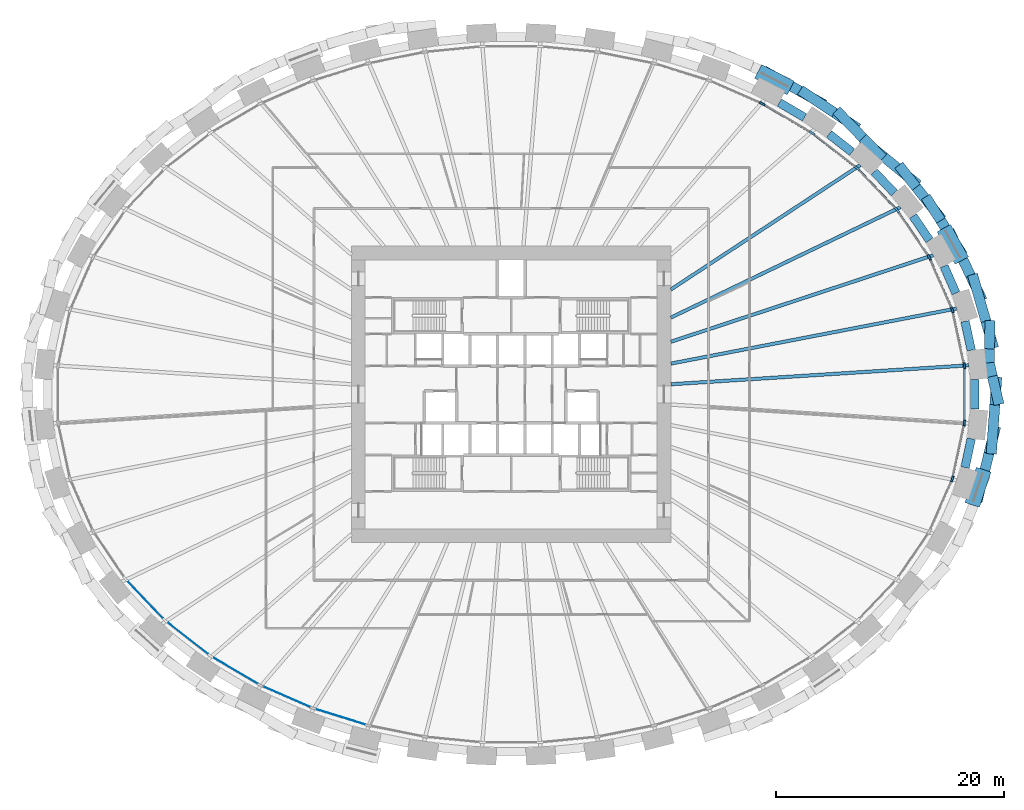
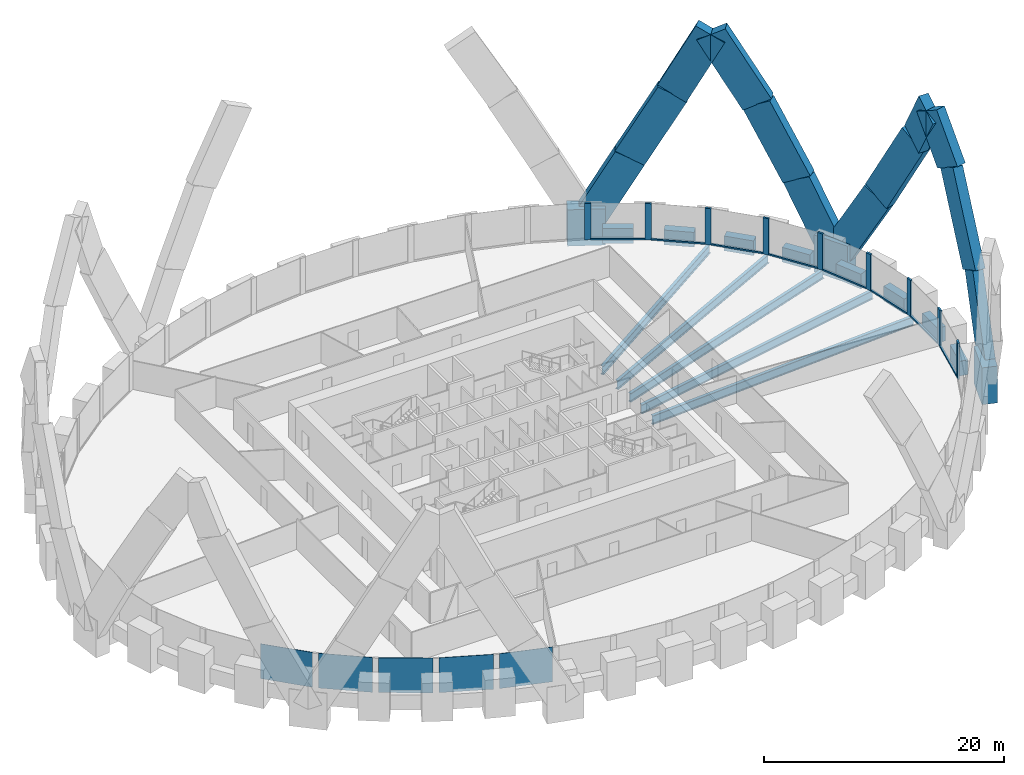
# One storey, part 5 of 12: 32 members, 13 beams, 5 plates, 1 element without a shape of its own.
"""IFC4 building model written with IfcOpenShell, lengths in metres."""

from ifc_helpers import new_model, si_unit, direction, frame, origin, origin_2d, place, context, subcontext, project, spatial, rectangle, i_section, extrude, source, transform, mapped, material, layer, layer_set, material_profile, profile_set, type_object, element, aggregate, save


model = new_model("IFC4")

# Units and contexts
model_context = context("Model", 3, precision=1e-05, world=origin(), true_north=direction((0.0, 1.0)))
body_context = subcontext(model_context, "Body", "Model", "MODEL_VIEW")
ifc_project = project(units=[si_unit("LENGTHUNIT", "METRE"), si_unit("AREAUNIT", "SQUARE_METRE"), si_unit("VOLUMEUNIT", "CUBIC_METRE"), si_unit("PLANEANGLEUNIT", "RADIAN"), si_unit("MASSUNIT", "GRAM", prefix="KILO")], contexts=[model_context])

# Site, building, storey
site_placement = place(None, origin())
site = spatial("IfcSite", under=ifc_project, at=site_placement, CompositionType="ELEMENT")
building_placement = place(site_placement, origin())
building = spatial("IfcBuilding", under=site, at=building_placement, Name="Embergate Tower", CompositionType="ELEMENT")
storey_placement = place(building_placement, frame((0.0, 0.0, 85.39990234375)))
storey = spatial("IfcBuildingStorey", under=building, at=storey_placement, Name="L17", CompositionType="ELEMENT", Elevation=85.39990234375)

# Beams
ifc_material_1 = material(Name="Concrete C70", Category="concrete")
ifc_material_profile_1 = material_profile(ifc_material_1, rectangle(XDim=0.75, YDim=1.5, at=origin_2d()), Name="RC 750x1500")
ifc_profile_set_1 = profile_set([ifc_material_profile_1], Name="Concrete C70")
beam_type_1 = type_object("IfcBeamType", Name="Spandrel beam RC 750x1500 C70", PredefinedType="BEAM", material=ifc_profile_set_1)
shared_shape_1 = source(origin(), body_context, "Body", "SweptSolid", [
    extrude(rectangle(XDim=0.75, YDim=1.5, at=origin_2d()), origin(), (0.0, 0.0, 1.0), 2.5869140625),
])
for number, where, z_axis, x_axis, name in (
    (1, (40.343017578125, 3.8798828125, 0.0), (-0.210270227171, 0.977643304874, 0.0), (-0.977643304874, -0.210270227171, 0.0), "SPN-L17-00"),
    (2, (39.799072265625, -6.408935546875, 0.0), (0.210270227171, 0.977643304874, 0.0), (-0.977643304874, 0.210270227171, 0.0), "SPN-L17-42"),
):
    element("IfcBeam", number, at=place(storey_placement, frame(where, z_axis=z_axis, x_axis=x_axis)), inside=storey, type_object=beam_type_1, Name=name, PredefinedType="BEAM", context=body_context, shape_type="MappedRepresentation", body=[
        mapped(shared_shape_1, transform((0.0, 0.0, 0.0))),
    ])
shared_shape_2 = source(origin(), body_context, "Body", "SweptSolid", [
    extrude(rectangle(XDim=0.75, YDim=1.5, at=origin_2d()), origin(), (0.0, 0.0, 1.0), 2.583251953125),
])
beam_1_placement = place(storey_placement, frame((38.9990234375, 8.883056640625, 0.0), z_axis=(-0.401468201792, 0.915872962233, 0.0), x_axis=(-0.915872962233, -0.401468201792, 0.0)))
element("IfcBeam", 3, at=beam_1_placement, inside=storey, type_object=beam_type_1, Name="SPN-L17-01", PredefinedType="BEAM", context=body_context, shape_type="MappedRepresentation", body=[
    mapped(shared_shape_2, transform((0.0, 0.0, 0.0))),
])
shared_shape_3 = source(origin(), body_context, "Body", "SweptSolid", [
    extrude(rectangle(XDim=0.75, YDim=1.5, at=origin_2d()), origin(), (0.0, 0.0, 1.0), 2.574951171875),
])
beam_2_placement = place(storey_placement, frame((36.68603515625, 13.513916015625, 0.0), z_axis=(-0.562356702599, 0.826894756932, 0.0), x_axis=(-0.826894756932, -0.562356702599, 0.0)))
element("IfcBeam", 4, at=beam_2_placement, inside=storey, type_object=beam_type_1, Name="SPN-L17-02", PredefinedType="BEAM", context=body_context, shape_type="MappedRepresentation", body=[
    mapped(shared_shape_3, transform((0.0, 0.0, 0.0))),
])
shared_shape_4 = source(origin(), body_context, "Body", "SweptSolid", [
    extrude(rectangle(XDim=0.75, YDim=1.5, at=origin_2d()), origin(), (0.0, 0.0, 1.0), 2.568115234375),
])
beam_3_placement = place(storey_placement, frame((33.60400390625, 17.6650390625, 0.0), z_axis=(-0.68998268655, 0.723825871506, 0.0), x_axis=(-0.723825871506, -0.68998268655, 0.0)))
element("IfcBeam", 5, at=beam_3_placement, inside=storey, type_object=beam_type_1, Name="SPN-L17-03", PredefinedType="BEAM", context=body_context, shape_type="MappedRepresentation", body=[
    mapped(shared_shape_4, transform((0.0, 0.0, 0.0))),
])
shared_shape_5 = source(origin(), body_context, "Body", "SweptSolid", [
    extrude(rectangle(XDim=0.75, YDim=1.5, at=origin_2d()), origin(), (0.0, 0.0, 1.0), 2.560791015625),
])
beam_4_placement = place(storey_placement, frame((29.89111328125, 21.25390625, 0.0), z_axis=(-0.788437573921, 0.615114779557, 0.0), x_axis=(-0.615114779557, -0.788437573921, 0.0)))
element("IfcBeam", 6, at=beam_4_placement, inside=storey, type_object=beam_type_1, Name="SPN-L17-04", PredefinedType="BEAM", context=body_context, shape_type="MappedRepresentation", body=[
    mapped(shared_shape_5, transform((0.0, 0.0, 0.0))),
])
shared_shape_6 = source(origin(), body_context, "Body", "SweptSolid", [
    extrude(rectangle(XDim=0.75, YDim=1.5, at=origin_2d()), origin(), (0.0, 0.0, 1.0), 2.55517578125),
])
beam_5_placement = place(storey_placement, frame((25.721923828125, 24.291015625, 0.0), z_axis=(-0.862086455961, 0.506761228241, 0.0), x_axis=(-0.506761228241, -0.862086455961, 0.0)))
element("IfcBeam", 7, at=beam_5_placement, inside=storey, type_object=beam_type_1, Name="SPN-L17-05", PredefinedType="BEAM", context=body_context, shape_type="MappedRepresentation", body=[
    mapped(shared_shape_6, transform((0.0, 0.0, 0.0))),
])
shared_shape_7 = source(origin(), body_context, "Body", "SweptSolid", [
    extrude(rectangle(XDim=0.75, YDim=1.5, at=origin_2d()), origin(), (0.0, 0.0, 1.0), 2.59423828125),
])
beam_6_placement = place(storey_placement, frame((40.637939453125, -1.297119140625, 0.0), z_axis=(0.0, 1.0, 0.0), x_axis=(-1.0, 0.0, 0.0)))
element("IfcBeam", 8, at=beam_6_placement, inside=storey, type_object=beam_type_1, Name="SPN-L17-43", PredefinedType="BEAM", context=body_context, shape_type="MappedRepresentation", body=[
    mapped(shared_shape_7, transform((0.0, 0.0, 0.0))),
])
ifc_material_2 = material(Name="Steel Q355B", Category="steel")
ifc_material_profile_2 = material_profile(ifc_material_2, i_section(OverallWidth=0.300048828125, OverallDepth=0.89990234375, WebThickness=0.01611328125, FlangeThickness=0.028076171875, FilletRadius=0.028076171875, at=origin_2d()), Name="HN 900x300x16x28")
ifc_profile_set_2 = profile_set([ifc_material_profile_2], Name="Steel Q355 grade B")
beam_type_2 = type_object("IfcBeamType", Name="Radial girder HN 900x300x16x28", PredefinedType="BEAM", material=ifc_profile_set_2)
shared_shape_8 = source(origin(), body_context, "Body", "SweptSolid", [
    extrude(i_section(OverallWidth=0.300048828125, OverallDepth=0.89990234375, WebThickness=0.01611328125, FlangeThickness=0.028076171875, FilletRadius=0.028076171875, at=origin_2d()), origin(), (0.0, 0.0, 1.0), 26.17578125),
])
beam_7_placement = place(storey_placement, frame((40.123046875, 2.549072265625, -0.64990234375), z_axis=(-0.997989066798, -0.063386296243, 0.0), x_axis=(0.063386296243, -0.997989066798, 0.0)))
element("IfcBeam", 9, at=beam_7_placement, inside=storey, type_object=beam_type_2, Name="GIR-L17-00", PredefinedType="BEAM", context=body_context, shape_type="MappedRepresentation", body=[
    mapped(shared_shape_8, transform((0.0, 0.0, 0.0))),
])
shared_shape_9 = source(origin(), body_context, "Body", "SweptSolid", [
    extrude(i_section(OverallWidth=0.300048828125, OverallDepth=0.89990234375, WebThickness=0.01611328125, FlangeThickness=0.028076171875, FilletRadius=0.028076171875, at=origin_2d()), origin(), (0.0, 0.0, 1.0), 25.5126953125),
])
beam_8_placement = place(storey_placement, frame((39.051025390625, 7.532958984375, -0.64990234375), z_axis=(-0.981900703084, -0.189396434187, 0.0), x_axis=(0.189396434187, -0.981900703084, 0.0)))
element("IfcBeam", 10, at=beam_8_placement, inside=storey, type_object=beam_type_2, Name="GIR-L17-01", PredefinedType="BEAM", context=body_context, shape_type="MappedRepresentation", body=[
    mapped(shared_shape_9, transform((0.0, 0.0, 0.0))),
])
shared_shape_10 = source(origin(), body_context, "Body", "SweptSolid", [
    extrude(i_section(OverallWidth=0.300048828125, OverallDepth=0.89990234375, WebThickness=0.01611328125, FlangeThickness=0.028076171875, FilletRadius=0.028076171875, at=origin_2d()), origin(), (0.0, 0.0, 1.0), 24.221435546875),
])
beam_9_placement = place(storey_placement, frame((37.0029296875, 12.202880859375, -0.64990234375), z_axis=(-0.949690422, -0.313190201575, 0.0), x_axis=(0.313190201575, -0.949690422, 0.0)))
element("IfcBeam", 11, at=beam_9_placement, inside=storey, type_object=beam_type_2, Name="GIR-L17-02", PredefinedType="BEAM", context=body_context, shape_type="MappedRepresentation", body=[
    mapped(shared_shape_10, transform((0.0, 0.0, 0.0))),
])
shared_shape_11 = source(origin(), body_context, "Body", "SweptSolid", [
    extrude(i_section(OverallWidth=0.300048828125, OverallDepth=0.89990234375, WebThickness=0.01611328125, FlangeThickness=0.028076171875, FilletRadius=0.028076171875, at=origin_2d()), origin(), (0.0, 0.0, 1.0), 22.343505859375),
])
beam_10_placement = place(storey_placement, frame((34.135009765625, 16.4208984375, -0.64990234375), z_axis=(-0.901156313857, -0.433494288308, 0.0), x_axis=(0.433494288308, -0.901156313857, 0.0)))
element("IfcBeam", 12, at=beam_10_placement, inside=storey, type_object=beam_type_2, Name="GIR-L17-03", PredefinedType="BEAM", context=body_context, shape_type="MappedRepresentation", body=[
    mapped(shared_shape_11, transform((0.0, 0.0, 0.0))),
])
shared_shape_12 = source(origin(), body_context, "Body", "SweptSolid", [
    extrude(i_section(OverallWidth=0.300048828125, OverallDepth=0.89990234375, WebThickness=0.01611328125, FlangeThickness=0.028076171875, FilletRadius=0.028076171875, at=origin_2d()), origin(), (0.0, 0.0, 1.0), 19.8779296875),
])
beam_11_placement = place(storey_placement, frame((30.613037109375, 20.113037109375, -0.64990234375), z_axis=(-0.835753953274, -0.549104115434, 0.0), x_axis=(0.549104115434, -0.835753953274, 0.0)))
element("IfcBeam", 13, at=beam_11_placement, inside=storey, type_object=beam_type_2, Name="GIR-L17-04", PredefinedType="BEAM", context=body_context, shape_type="MappedRepresentation", body=[
    mapped(shared_shape_12, transform((0.0, 0.0, 0.0))),
])

# Members
ifc_material_profile_3 = material_profile(ifc_material_1, rectangle(XDim=1.35009765625, YDim=3.199951171875, at=origin_2d()), Name="RC 1350x3200")
ifc_profile_set_3 = profile_set([ifc_material_profile_3], Name="Concrete C70")
member_type_1 = type_object("IfcMemberType", Name="Lattice node block RC 1350x3200", PredefinedType="POST", material=ifc_profile_set_3)
shared_shape_13 = source(origin(), body_context, "Body", "SweptSolid", [
    extrude(rectangle(XDim=1.35009765625, YDim=3.199951171875, at=origin_2d()), origin(), (0.0, 0.0, 1.0), 3.699951171875),
])
member_1_placement = place(storey_placement, frame((23.0849609375, 27.60107421875, -1.849853515625), z_axis=(0.0, 0.0, 1.0), x_axis=(0.452994952881, 0.891513080478, 0.0)))
element("IfcMember", 14, at=member_1_placement, inside=storey, type_object=member_type_1, Name="NOD-L17-06", PredefinedType="POST", context=body_context, shape_type="MappedRepresentation", body=[
    mapped(shared_shape_13, transform((0.0, 0.0, 0.0))),
])
ifc_material_profile_4 = material_profile(ifc_material_1, rectangle(XDim=1.35009765625, YDim=3.25, at=origin_2d()), Name="RC 1350x3250")
ifc_profile_set_4 = profile_set([ifc_material_profile_4], Name="Concrete C70")
member_type_2 = type_object("IfcMemberType", Name="Lattice node block RC 1350x3250", PredefinedType="POST", material=ifc_profile_set_4)
shared_shape_14 = source(origin(), body_context, "Body", "SweptSolid", [
    extrude(rectangle(XDim=1.35009765625, YDim=3.25, at=origin_2d()), origin(), (0.0, 0.0, 1.0), 3.75),
])
for number, where, z_axis, x_axis, name in (
    (15, (38.72802734375, 13.1640625, -1.875), (0.0, 0.0, 1.0), (0.873491969053, 0.486838556403, 0.0), "NOD-L17-02"),
    (16, (40.928955078125, -8.14501953125, -1.875), (0.0, 0.0, 1.0), (0.950754033697, -0.309946394413, 0.0), "NOD-L17-42"),
):
    element("IfcMember", number, at=place(storey_placement, frame(where, z_axis=z_axis, x_axis=x_axis)), inside=storey, type_object=member_type_2, Name=name, PredefinedType="POST", context=body_context, shape_type="MappedRepresentation", body=[
        mapped(shared_shape_14, transform((0.0, 0.0, 0.0))),
    ])
ifc_material_profile_5 = material_profile(ifc_material_1, rectangle(XDim=0.89990234375, YDim=2.800048828125, at=origin_2d()), Name="RC 900x2800")
ifc_profile_set_5 = profile_set([ifc_material_profile_5], Name="Concrete C70")
member_type_3 = type_object("IfcMemberType", Name="Lattice diagonal terracotta-faced RC 900x2800", PredefinedType="BRACE", material=ifc_profile_set_5)
shared_shape_15 = source(origin(), body_context, "Body", "SweptSolid", [
    extrude(rectangle(XDim=0.89990234375, YDim=2.800048828125, at=origin_2d()), origin(), (0.0, 0.0, 1.0), 8.93701171875),
])
member_2_placement = place(storey_placement, frame((38.924072265625, 13.27392578125, 0.0), z_axis=(0.20911624975, -0.441070015475, 0.872770093175), x_axis=(0.903588505439, 0.428401462228, 0.0)))
element("IfcMember", 17, at=member_2_placement, inside=storey, type_object=member_type_3, Name="BRC-L17-02-00-S00", PredefinedType="BRACE", context=body_context, shape_type="MappedRepresentation", body=[
    mapped(shared_shape_15, transform((0.0, 0.0, 0.0))),
])
shared_shape_16 = source(origin(), body_context, "Body", "SweptSolid", [
    extrude(rectangle(XDim=0.89990234375, YDim=2.800048828125, at=origin_2d()), origin(), (0.0, 0.0, 1.0), 8.8857421875),
])
member_3_placement = place(storey_placement, frame((40.79296875, 9.33203125, 7.800048828125), z_axis=(0.132238219177, -0.460402210418, 0.87780570631), x_axis=(0.961139907782, 0.276061728004, 0.0)))
element("IfcMember", 18, at=member_3_placement, inside=storey, type_object=member_type_3, Name="BRC-L17-02-00-S01", PredefinedType="BRACE", context=body_context, shape_type="MappedRepresentation", body=[
    mapped(shared_shape_16, transform((0.0, 0.0, 0.0))),
])
shared_shape_17 = source(origin(), body_context, "Body", "SweptSolid", [
    extrude(rectangle(XDim=0.89990234375, YDim=2.800048828125, at=origin_2d()), origin(), (0.0, 0.0, 1.0), 5.132080078125),
])
member_4_placement = place(storey_placement, frame((41.968017578125, 5.240966796875, 15.60009765625), z_axis=(-0.009942316014, -0.480703843636, 0.87682664482), x_axis=(0.999786178865, -0.020678407856, 0.0)))
element("IfcMember", 19, at=member_4_placement, inside=storey, type_object=member_type_3, Name="BRC-L17-02-00-S02", PredefinedType="BRACE", context=body_context, shape_type="MappedRepresentation", body=[
    mapped(shared_shape_17, transform((0.0, 0.0, 0.0))),
])
shared_shape_18 = source(origin(), body_context, "Body", "SweptSolid", [
    extrude(rectangle(XDim=0.89990234375, YDim=2.800048828125, at=origin_2d()), origin(), (0.0, 0.0, 1.0), 7.591796875),
])
member_5_placement = place(storey_placement, frame((38.924072265625, 13.27392578125, 0.0), z_axis=(-0.252379127905, 0.396738188196, 0.882555146053), x_axis=(-0.843748776611, -0.53673829933, 0.0)))
element("IfcMember", 20, at=member_5_placement, inside=storey, type_object=member_type_3, Name="BRC-L17-02-04-S00", PredefinedType="BRACE", context=body_context, shape_type="MappedRepresentation", body=[
    mapped(shared_shape_18, transform((0.0, 0.0, 0.0))),
])
shared_shape_19 = source(origin(), body_context, "Body", "SweptSolid", [
    extrude(rectangle(XDim=0.89990234375, YDim=2.800048828125, at=origin_2d()), origin(), (0.0, 0.0, 1.0), 7.622802734375),
])
member_6_placement = place(storey_placement, frame((37.008056640625, 16.285888671875, 6.7001953125), z_axis=(-0.295965547701, 0.374016412299, 0.878928960671), x_axis=(-0.784179246628, -0.620534373873, 0.0)))
element("IfcMember", 21, at=member_6_placement, inside=storey, type_object=member_type_3, Name="BRC-L17-02-04-S01", PredefinedType="BRACE", context=body_context, shape_type="MappedRepresentation", body=[
    mapped(shared_shape_19, transform((0.0, 0.0, 0.0))),
])
shared_shape_20 = source(origin(), body_context, "Body", "SweptSolid", [
    extrude(rectangle(XDim=0.89990234375, YDim=2.800048828125, at=origin_2d()), origin(), (0.0, 0.0, 1.0), 7.755615234375),
])
member_7_placement = place(storey_placement, frame((34.751953125, 19.136962890625, 13.400146484375), z_axis=(-0.390941166827, 0.317594446583, 0.863885855643), x_axis=(-0.630538507974, -0.776157967145, 0.0)))
element("IfcMember", 22, at=member_7_placement, inside=storey, type_object=member_type_3, Name="BRC-L17-02-04-S02", PredefinedType="BRACE", context=body_context, shape_type="MappedRepresentation", body=[
    mapped(shared_shape_20, transform((0.0, 0.0, 0.0))),
])
shared_shape_21 = source(origin(), body_context, "Body", "SweptSolid", [
    extrude(rectangle(XDim=0.89990234375, YDim=2.800048828125, at=origin_2d()), origin(), (0.0, 0.0, 1.0), 7.637451171875),
])
member_8_placement = place(storey_placement, frame((23.18701171875, 27.802001953125, 0.0), z_axis=(0.418475818826, -0.235019037507, 0.877293588867), x_axis=(0.489669797348, 0.871907959343, 0.0)))
element("IfcMember", 23, at=member_8_placement, inside=storey, type_object=member_type_3, Name="BRC-L17-06-04-S00", PredefinedType="BRACE", context=body_context, shape_type="MappedRepresentation", body=[
    mapped(shared_shape_21, transform((0.0, 0.0, 0.0))),
])
shared_shape_22 = source(origin(), body_context, "Body", "SweptSolid", [
    extrude(rectangle(XDim=0.89990234375, YDim=2.800048828125, at=origin_2d()), origin(), (0.0, 0.0, 1.0), 7.609619140625),
])
member_9_placement = place(storey_placement, frame((26.383056640625, 26.007080078125, 6.7001953125), z_axis=(0.394620719383, -0.262823815706, 0.880453366018), x_axis=(0.554325370702, 0.832300056107, 0.0)))
element("IfcMember", 24, at=member_9_placement, inside=storey, type_object=member_type_3, Name="BRC-L17-06-04-S01", PredefinedType="BRACE", context=body_context, shape_type="MappedRepresentation", body=[
    mapped(shared_shape_22, transform((0.0, 0.0, 0.0))),
])
shared_shape_23 = source(origin(), body_context, "Body", "SweptSolid", [
    extrude(rectangle(XDim=0.89990234375, YDim=2.800048828125, at=origin_2d()), origin(), (0.0, 0.0, 1.0), 7.491943359375),
])
member_10_placement = place(storey_placement, frame((29.385986328125, 24.007080078125, 13.400146484375), z_axis=(0.311529302159, -0.321272739538, 0.894278100328), x_axis=(0.717909215598, 0.696136738119, 0.0)))
element("IfcMember", 25, at=member_10_placement, inside=storey, type_object=member_type_3, Name="BRC-L17-06-04-S02", PredefinedType="BRACE", context=body_context, shape_type="MappedRepresentation", body=[
    mapped(shared_shape_23, transform((0.0, 0.0, 0.0))),
])
shared_shape_24 = source(origin(), body_context, "Body", "SweptSolid", [
    extrude(rectangle(XDim=0.89990234375, YDim=2.800048828125, at=origin_2d()), origin(), (0.0, 0.0, 1.0), 8.92919921875),
])
member_11_placement = place(storey_placement, frame((41.14306640625, -8.215087890625, 0.0), z_axis=(0.117459109384, 0.472379197585, 0.873533772279), x_axis=(-0.970449004429, 0.241306298722, 0.0)))
element("IfcMember", 26, at=member_11_placement, inside=storey, type_object=member_type_3, Name="BRC-L17-42-00-S00", PredefinedType="BRACE", context=body_context, shape_type="MappedRepresentation", body=[
    mapped(shared_shape_24, transform((0.0, 0.0, 0.0))),
])
shared_shape_25 = source(origin(), body_context, "Body", "SweptSolid", [
    extrude(rectangle(XDim=0.89990234375, YDim=2.800048828125, at=origin_2d()), origin(), (0.0, 0.0, 1.0), 8.9130859375),
])
member_12_placement = place(storey_placement, frame((42.19189453125, -3.9970703125, 7.800048828125), z_axis=(0.03434893623, 0.482665554477, 0.875130911979), x_axis=(-0.997477343094, 0.070985562013, 0.0)))
element("IfcMember", 27, at=member_12_placement, inside=storey, type_object=member_type_3, Name="BRC-L17-42-00-S01", PredefinedType="BRACE", context=body_context, shape_type="MappedRepresentation", body=[
    mapped(shared_shape_25, transform((0.0, 0.0, 0.0))),
])
shared_shape_26 = source(origin(), body_context, "Body", "SweptSolid", [
    extrude(rectangle(XDim=0.89990234375, YDim=2.800048828125, at=origin_2d()), origin(), (0.0, 0.0, 1.0), 5.16552734375),
])
member_13_placement = place(storey_placement, frame((42.498046875, 0.304931640625, 15.60009765625), z_axis=(-0.112485139504, 0.477967317563, 0.871145416525), x_axis=(-0.973407068707, -0.229082252895, 0.0)))
element("IfcMember", 28, at=member_13_placement, inside=storey, type_object=member_type_3, Name="BRC-L17-42-00-S02", PredefinedType="BRACE", context=body_context, shape_type="MappedRepresentation", body=[
    mapped(shared_shape_26, transform((0.0, 0.0, 0.0))),
])

# Curtain wall, members, plates
ifc_material_3 = material(Name="Aluminium and glass", Category="aluminium")
curtain_wall_type = type_object("IfcCurtainWallType", Name="Recessed office glazing", PredefinedType="NOTDEFINED", material=ifc_material_3)
curtain_wall_placement = place(storey_placement, origin())
curtain_wall = element("IfcCurtainWall", 29, at=curtain_wall_placement, inside=storey, type_object=curtain_wall_type, Name="Recessed office glazing ring", ObjectType="RECESSED OFFICE GLAZING", PredefinedType="USERDEFINED")
ifc_material_4 = material(Name="Aluminium, thermally broken", Category="aluminium")
ifc_material_profile_6 = material_profile(ifc_material_4, rectangle(XDim=0.179931640625, YDim=0.52001953125, at=origin_2d()), Name="AL 520x180")
ifc_profile_set_6 = profile_set([ifc_material_profile_6], Name="Aluminium, thermally broken")
member_type_4 = type_object("IfcMemberType", Name="Office mullion", PredefinedType="MULLION", material=ifc_profile_set_6)
shared_shape_27 = source(origin(), body_context, "Body", "SweptSolid", [
    extrude(rectangle(XDim=0.179931640625, YDim=0.52001953125, at=origin_2d()), origin(), (0.0, 0.0, 1.0), 3.7001953125),
])
member_14_placement = place(storey_placement, frame((39.735595703125, 2.507080078125, 0.0), z_axis=(0.0, 0.0, 1.0), x_axis=(-0.994385139431, -0.105821521816, 0.0)))
member_14 = element("IfcMember", 30, at=member_14_placement, type_object=member_type_4, Name="CW mullion 1", PredefinedType="MULLION", context=body_context, shape_type="MappedRepresentation", body=[
    mapped(shared_shape_27, transform((0.0, 0.0, 0.0))),
])
member_15_placement = place(storey_placement, frame((38.68017578125, 7.412109375, 0.0), z_axis=(0.0, 0.0, 1.0), x_axis=(-0.95149940886, -0.307650572791, 0.0)))
member_15 = element("IfcMember", 31, at=member_15_placement, type_object=member_type_4, Name="CW mullion 2", PredefinedType="MULLION", context=body_context, shape_type="MappedRepresentation", body=[
    mapped(shared_shape_27, transform((0.0, 0.0, 0.0))),
])
member_16_placement = place(storey_placement, frame((36.662109375, 12.012939453125, 0.0), z_axis=(0.0, 0.0, 1.0), x_axis=(-0.875005275602, -0.484113383071, 0.0)))
member_16 = element("IfcMember", 32, at=member_16_placement, type_object=member_type_4, Name="CW mullion 3", PredefinedType="MULLION", context=body_context, shape_type="MappedRepresentation", body=[
    mapped(shared_shape_27, transform((0.0, 0.0, 0.0))),
])
member_17_placement = place(storey_placement, frame((33.831787109375, 16.1748046875, 0.0), z_axis=(0.0, 0.0, 1.0), x_axis=(-0.777875854755, -0.628417977615, 0.0)))
member_17 = element("IfcMember", 33, at=member_17_placement, type_object=member_type_4, Name="CW mullion 4", PredefinedType="MULLION", context=body_context, shape_type="MappedRepresentation", body=[
    mapped(shared_shape_27, transform((0.0, 0.0, 0.0))),
])
member_18_placement = place(storey_placement, frame((30.352294921875, 19.823486328125, 0.0), z_axis=(0.0, 0.0, 1.0), x_axis=(-0.671229121411, -0.741249935292, 0.0)))
member_18 = element("IfcMember", 34, at=member_18_placement, type_object=member_type_4, Name="CW mullion 5", PredefinedType="MULLION", context=body_context, shape_type="MappedRepresentation", body=[
    mapped(shared_shape_27, transform((0.0, 0.0, 0.0))),
])
member_19_placement = place(storey_placement, frame((26.37158203125, 22.930419921875, 0.0), z_axis=(0.0, 0.0, 1.0), x_axis=(-0.562217618544, -0.826989328467, 0.0)))
member_19 = element("IfcMember", 35, at=member_19_placement, type_object=member_type_4, Name="CW mullion 6", PredefinedType="MULLION", context=body_context, shape_type="MappedRepresentation", body=[
    mapped(shared_shape_27, transform((0.0, 0.0, 0.0))),
])
member_20_placement = place(storey_placement, frame((22.013427734375, 25.49267578125, 0.0), z_axis=(0.0, 0.0, 1.0), x_axis=(-0.454511380526, -0.890740930334, 0.0)))
member_20 = element("IfcMember", 36, at=member_20_placement, type_object=member_type_4, Name="CW mullion 7", PredefinedType="MULLION", context=body_context, shape_type="MappedRepresentation", body=[
    mapped(shared_shape_27, transform((0.0, 0.0, 0.0))),
])
member_21_placement = place(storey_placement, frame((38.68017578125, -7.412109375, 0.0), z_axis=(0.0, 0.0, 1.0), x_axis=(-0.95149940886, 0.307650572791, 0.0)))
member_21 = element("IfcMember", 37, at=member_21_placement, type_object=member_type_4, Name="CW mullion 43", PredefinedType="MULLION", context=body_context, shape_type="MappedRepresentation", body=[
    mapped(shared_shape_27, transform((0.0, 0.0, 0.0))),
])
member_22_placement = place(storey_placement, frame((39.735595703125, -2.507080078125, 0.0), z_axis=(0.0, 0.0, 1.0), x_axis=(-0.994385139431, 0.105821521816, 0.0)))
member_22 = element("IfcMember", 38, at=member_22_placement, type_object=member_type_4, Name="CW mullion 44", PredefinedType="MULLION", context=body_context, shape_type="MappedRepresentation", body=[
    mapped(shared_shape_27, transform((0.0, 0.0, 0.0))),
])
ifc_material_profile_7 = material_profile(ifc_material_4, rectangle(XDim=0.179931640625, YDim=0.14990234375, at=origin_2d()), Name="AL 150x180")
ifc_profile_set_7 = profile_set([ifc_material_profile_7], Name="Aluminium, thermally broken")
member_type_5 = type_object("IfcMemberType", Name="Office sill transom", PredefinedType="USERDEFINED", material=ifc_profile_set_7)
shared_shape_28 = source(origin(), body_context, "Body", "SweptSolid", [
    extrude(rectangle(XDim=0.179931640625, YDim=0.14990234375, at=origin_2d()), origin(), (0.0, 0.0, 1.0), 4.529296875),
])
member_23_placement = place(storey_placement, frame((30.147216796875, 19.983642578125, 0.0751953125), z_axis=(-0.788306218653, 0.615283110148, 0.0), x_axis=(-0.615283110148, -0.788306218653, 0.0)))
member_23 = element("IfcMember", 39, at=member_23_placement, type_object=member_type_5, Name="CW transom 5.1", ObjectType="TRANSOM", PredefinedType="USERDEFINED", context=body_context, shape_type="MappedRepresentation", body=[
    mapped(shared_shape_28, transform((0.0, 0.0, 0.0))),
])
shared_shape_29 = source(origin(), body_context, "Body", "SweptSolid", [
    extrude(rectangle(XDim=0.179931640625, YDim=0.14990234375, at=origin_2d()), origin(), (0.0, 0.0, 1.0), 4.496826171875),
])
member_24_placement = place(storey_placement, frame((39.680908203125, 2.761474609375, 0.0751953125), z_axis=(-0.210378069806, 0.977620104, 0.0), x_axis=(-0.977620104, -0.210378069806, 0.0)))
member_24 = element("IfcMember", 40, at=member_24_placement, type_object=member_type_5, Name="CW transom 1.1", ObjectType="TRANSOM", PredefinedType="USERDEFINED", context=body_context, shape_type="MappedRepresentation", body=[
    mapped(shared_shape_29, transform((0.0, 0.0, 0.0))),
])
member_25_placement = place(storey_placement, frame((38.73486328125, -7.15771484375, 0.0751953125), z_axis=(0.210378069806, 0.977620104, 0.0), x_axis=(-0.977620104, 0.210378069806, 0.0)))
member_25 = element("IfcMember", 41, at=member_25_placement, type_object=member_type_5, Name="CW transom 43.1", ObjectType="TRANSOM", PredefinedType="USERDEFINED", context=body_context, shape_type="MappedRepresentation", body=[
    mapped(shared_shape_29, transform((0.0, 0.0, 0.0))),
])
shared_shape_30 = source(origin(), body_context, "Body", "SweptSolid", [
    extrude(rectangle(XDim=0.179931640625, YDim=0.14990234375, at=origin_2d()), origin(), (0.0, 0.0, 1.0), 4.504150390625),
])
member_26_placement = place(storey_placement, frame((38.57568359375, 7.650146484375, 0.0751953125), z_axis=(-0.401657507377, 0.915789957778, 0.0), x_axis=(-0.915789957778, -0.401657507377, 0.0)))
member_26 = element("IfcMember", 42, at=member_26_placement, type_object=member_type_5, Name="CW transom 2.1", ObjectType="TRANSOM", PredefinedType="USERDEFINED", context=body_context, shape_type="MappedRepresentation", body=[
    mapped(shared_shape_30, transform((0.0, 0.0, 0.0))),
])
shared_shape_31 = source(origin(), body_context, "Body", "SweptSolid", [
    extrude(rectangle(XDim=0.179931640625, YDim=0.14990234375, at=origin_2d()), origin(), (0.0, 0.0, 1.0), 4.51318359375),
])
member_27_placement = place(storey_placement, frame((36.515869140625, 12.22802734375, 0.0751953125), z_axis=(-0.562329256749, 0.82691342171, 0.0), x_axis=(-0.82691342171, -0.562329256749, 0.0)))
member_27 = element("IfcMember", 43, at=member_27_placement, type_object=member_type_5, Name="CW transom 3.1", ObjectType="TRANSOM", PredefinedType="USERDEFINED", context=body_context, shape_type="MappedRepresentation", body=[
    mapped(shared_shape_31, transform((0.0, 0.0, 0.0))),
])
shared_shape_32 = source(origin(), body_context, "Body", "SweptSolid", [
    extrude(rectangle(XDim=0.179931640625, YDim=0.14990234375, at=origin_2d()), origin(), (0.0, 0.0, 1.0), 4.52197265625),
])
member_28_placement = place(storey_placement, frame((33.65234375, 16.363037109375, 0.0751953125), z_axis=(-0.690144384651, 0.723671699277, 0.0), x_axis=(-0.723671699277, -0.690144384651, 0.0)))
member_28 = element("IfcMember", 44, at=member_28_placement, type_object=member_type_5, Name="CW transom 4.1", ObjectType="TRANSOM", PredefinedType="USERDEFINED", context=body_context, shape_type="MappedRepresentation", body=[
    mapped(shared_shape_32, transform((0.0, 0.0, 0.0))),
])
shared_shape_33 = source(origin(), body_context, "Body", "SweptSolid", [
    extrude(rectangle(XDim=0.179931640625, YDim=0.14990234375, at=origin_2d()), origin(), (0.0, 0.0, 1.0), 4.535400390625),
])
member_29_placement = place(storey_placement, frame((26.1474609375, 23.06201171875, 0.0751953125), z_axis=(-0.862028298447, 0.506860151004, 0.0), x_axis=(-0.506860151004, -0.862028298447, 0.0)))
member_29 = element("IfcMember", 45, at=member_29_placement, type_object=member_type_5, Name="CW transom 6.1", ObjectType="TRANSOM", PredefinedType="USERDEFINED", context=body_context, shape_type="MappedRepresentation", body=[
    mapped(shared_shape_33, transform((0.0, 0.0, 0.0))),
])
shared_shape_34 = source(origin(), body_context, "Body", "SweptSolid", [
    extrude(rectangle(XDim=0.179931640625, YDim=0.14990234375, at=origin_2d()), origin(), (0.0, 0.0, 1.0), 4.49462890625),
])
member_30_placement = place(storey_placement, frame((39.735595703125, -2.247314453125, 0.0751953125), z_axis=(0.0, 1.0, 0.0), x_axis=(-1.0, 0.0, 0.0)))
member_30 = element("IfcMember", 46, at=member_30_placement, type_object=member_type_5, Name="CW transom 44.1", ObjectType="TRANSOM", PredefinedType="USERDEFINED", context=body_context, shape_type="MappedRepresentation", body=[
    mapped(shared_shape_34, transform((0.0, 0.0, 0.0))),
])
ifc_material_5 = material(Name="Triple glazing, low-emissivity coating", Category="glass")
ifc_layer = layer(ifc_material_5, 0.035888671875)
ifc_layer_set = layer_set([ifc_layer], Name="Triple glazing, low-emissivity coating")
plate_type = type_object("IfcPlateType", Name="Office glazing unit", PredefinedType="CURTAIN_PANEL", material=ifc_layer_set)
shared_shape_35 = source(origin(), body_context, "Body", "SweptSolid", [
    extrude(rectangle(XDim=4.529296875, YDim=0.035888671875, at=origin_2d()), origin(), (0.0, 0.0, 1.0), 3.550048828125),
])
plate_1_placement = place(storey_placement, frame((-28.36181640625, -21.376953125, 0.14990234375), z_axis=(0.0, 0.0, 1.0), x_axis=(0.788321193094, -0.615263924279, 0.0)))
plate_1 = element("IfcPlate", 47, at=plate_1_placement, type_object=plate_type, Name="CW panel 27.1", PredefinedType="CURTAIN_PANEL", context=body_context, shape_type="MappedRepresentation", body=[
    mapped(shared_shape_35, transform((0.0, 0.0, 0.0))),
])
shared_shape_36 = source(origin(), body_context, "Body", "SweptSolid", [
    extrude(rectangle(XDim=4.52197265625, YDim=0.035888671875, at=origin_2d()), origin(), (0.0, 0.0, 1.0), 3.550048828125),
])
plate_2_placement = place(storey_placement, frame((-32.092041015625, -17.999267578125, 0.14990234375), z_axis=(0.0, 0.0, 1.0), x_axis=(0.690135047526, -0.723680603703, 0.0)))
plate_2 = element("IfcPlate", 48, at=plate_2_placement, type_object=plate_type, Name="CW panel 26.1", PredefinedType="CURTAIN_PANEL", context=body_context, shape_type="MappedRepresentation", body=[
    mapped(shared_shape_36, transform((0.0, 0.0, 0.0))),
])
shared_shape_37 = source(origin(), body_context, "Body", "SweptSolid", [
    extrude(rectangle(XDim=4.535400390625, YDim=0.035888671875, at=origin_2d()), origin(), (0.0, 0.0, 1.0), 3.550048828125),
])
plate_3_placement = place(storey_placement, frame((-24.192626953125, -24.21142578125, 0.14990234375), z_axis=(0.0, 0.0, 1.0), x_axis=(0.862053167811, -0.50681785275, 0.0)))
plate_3 = element("IfcPlate", 49, at=plate_3_placement, type_object=plate_type, Name="CW panel 28.1", PredefinedType="CURTAIN_PANEL", context=body_context, shape_type="MappedRepresentation", body=[
    mapped(shared_shape_37, transform((0.0, 0.0, 0.0))),
])
shared_shape_38 = source(origin(), body_context, "Body", "SweptSolid", [
    extrude(rectangle(XDim=4.5400390625, YDim=0.035888671875, at=origin_2d()), origin(), (0.0, 0.0, 1.0), 3.550048828125),
])
plate_4_placement = place(storey_placement, frame((-19.6953125, -26.506103515625, 0.14990234375), z_axis=(0.0, 0.0, 1.0), x_axis=(0.916236211741, -0.400638495772, 0.0)))
plate_4 = element("IfcPlate", 50, at=plate_4_placement, type_object=plate_type, Name="CW panel 29.1", PredefinedType="CURTAIN_PANEL", context=body_context, shape_type="MappedRepresentation", body=[
    mapped(shared_shape_38, transform((0.0, 0.0, 0.0))),
])
shared_shape_39 = source(origin(), body_context, "Body", "SweptSolid", [
    extrude(rectangle(XDim=4.54345703125, YDim=0.035888671875, at=origin_2d()), origin(), (0.0, 0.0, 1.0), 3.550048828125),
])
plate_5_placement = place(storey_placement, frame((-14.960205078125, -28.272705078125, 0.14990234375), z_axis=(0.0, 0.0, 1.0), x_axis=(0.954772217174, -0.297338213676, 0.0)))
plate_5 = element("IfcPlate", 51, at=plate_5_placement, type_object=plate_type, Name="CW panel 30.1", PredefinedType="CURTAIN_PANEL", context=body_context, shape_type="MappedRepresentation", body=[
    mapped(shared_shape_39, transform((0.0, 0.0, 0.0))),
])
aggregate(curtain_wall, [member_14, member_15, member_16, member_17, member_18, member_19, member_20, member_21, member_22, member_24, member_26, member_27, member_28, member_23, member_29, plate_2, plate_1, plate_3, plate_4, plate_5, member_25, member_30])

save(model, "model.ifc")
